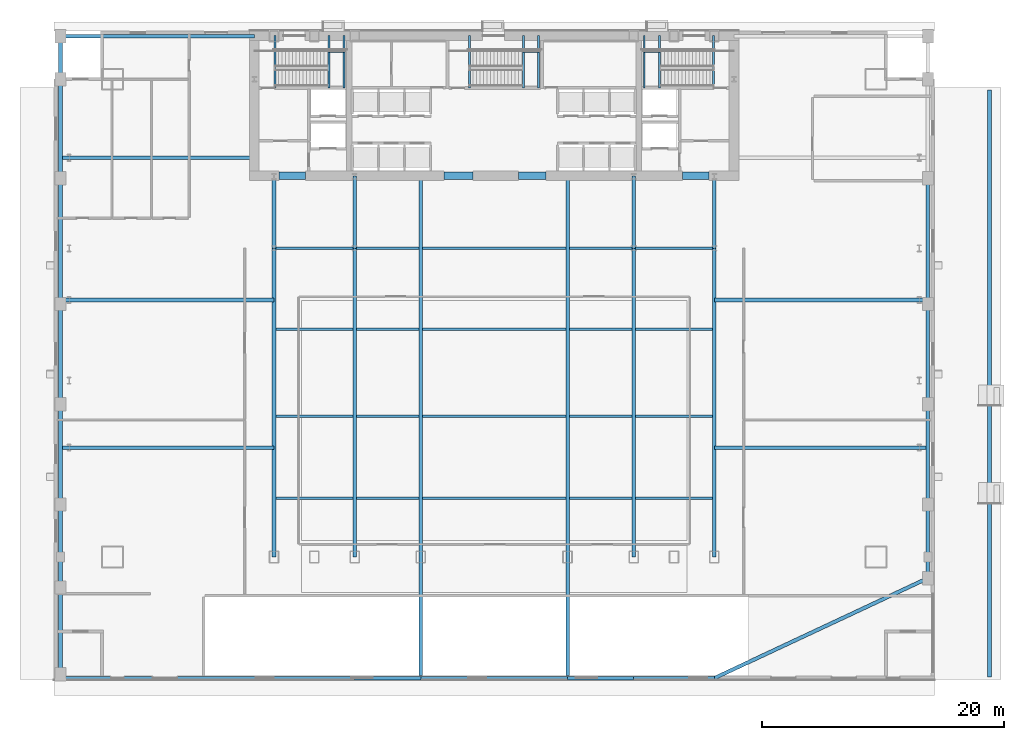
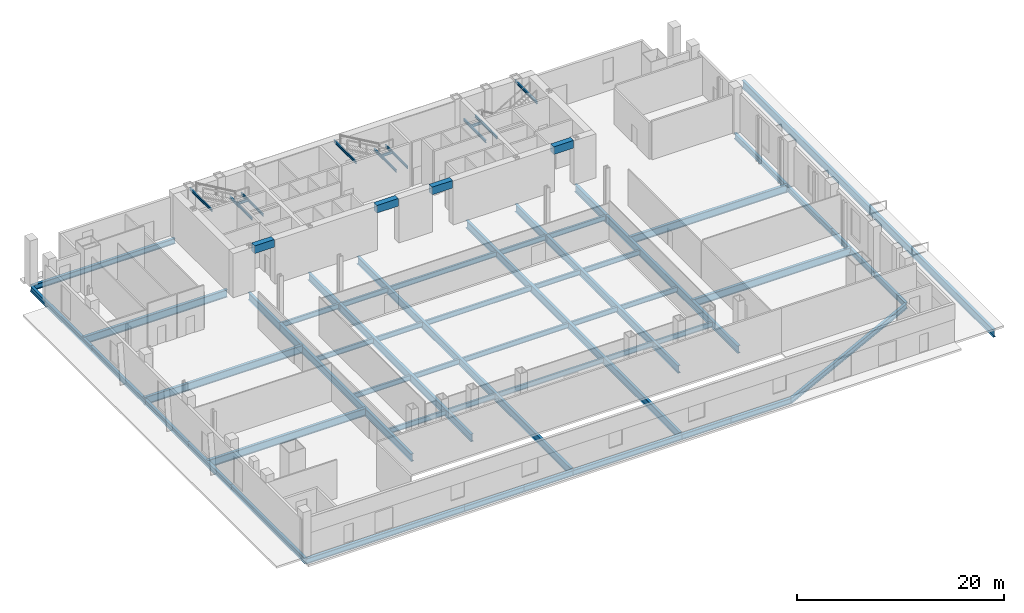
# One storey, part 6 of 16: 69 beams.
"""IFC4 building model written with IfcOpenShell, lengths in metres."""

from ifc_helpers import new_model, si_unit, direction, frame, origin, origin_2d, place, context, subcontext, project, spatial, rectangle, i_section, extrude, material, material_profile, profile_set, type_object, element, save


model = new_model("IFC4")

# Units and contexts
model_context = context("Model", 3, precision=1e-05, world=origin(), true_north=direction((0.0, 1.0)))
body_context = subcontext(model_context, "Body", "Model", "MODEL_VIEW")
ifc_project = project(units=[si_unit("LENGTHUNIT", "METRE"), si_unit("AREAUNIT", "SQUARE_METRE"), si_unit("VOLUMEUNIT", "CUBIC_METRE"), si_unit("PLANEANGLEUNIT", "RADIAN"), si_unit("MASSUNIT", "GRAM", prefix="KILO")], contexts=[model_context])

# Site, building, storey
site_placement = place(None, origin())
site = spatial("IfcSite", under=ifc_project, at=site_placement, CompositionType="ELEMENT")
building_placement = place(site_placement, origin())
building = spatial("IfcBuilding", under=site, at=building_placement, Name="Khoronbel Lancet Exchange", CompositionType="ELEMENT")
storey_placement = place(building_placement, origin())
storey = spatial("IfcBuildingStorey", under=building, at=storey_placement, Name="L00", CompositionType="ELEMENT", Elevation=0.0)

# Beams
ifc_material_1 = material(Name="Steel S355", Category="steel")
ifc_material_profile_1 = material_profile(ifc_material_1, i_section(OverallWidth=0.300048828125, OverallDepth=0.89990234375, WebThickness=0.0185546875, FlangeThickness=0.034912109375, at=origin_2d()), Name="HEB 900")
ifc_profile_set_1 = profile_set([ifc_material_profile_1], Name="Steel S355")
beam_type_1 = type_object("IfcBeamType", Name="BM-BG1", PredefinedType="BEAM", material=ifc_profile_set_1)
beam_1_placement = place(storey_placement, frame((77.449951171875, 0.199951171875, -0.68994140625), z_axis=(0.0, 1.0, 0.0), x_axis=(-1.0, 0.0, 0.0)))
element("IfcBeam", 1, at=beam_1_placement, inside=storey, type_object=beam_type_1, Name="Level L00 east boulevard colonnade apron edge girder", PredefinedType="BEAM", context=body_context, shape_type="SweptSolid", body=[
    extrude(i_section(OverallWidth=0.300048828125, OverallDepth=0.89990234375, WebThickness=0.0185546875, FlangeThickness=0.034912109375, at=origin_2d()), origin(), (0.0, 0.0, 1.0), 48.60009765625),
])
beam_2_placement = place(storey_placement, frame((18.22509765625, 10.14990234375, -0.669921875), z_axis=(0.0, 1.0, 0.0), x_axis=(-1.0, 0.0, 0.0)))
element("IfcBeam", 2, at=beam_2_placement, inside=storey, type_object=beam_type_1, Name="Level L00 south primary girder GS1", PredefinedType="BEAM", context=body_context, shape_type="SweptSolid", body=[
    extrude(i_section(OverallWidth=0.300048828125, OverallDepth=0.89990234375, WebThickness=0.0185546875, FlangeThickness=0.034912109375, at=origin_2d()), origin(), (0.0, 0.0, 1.0), 25.550048828125),
])
beam_3_placement = place(storey_placement, frame((18.22509765625, 35.699951171875, -0.669921875), z_axis=(0.0, 1.0, 0.0), x_axis=(-1.0, 0.0, 0.0)))
element("IfcBeam", 3, at=beam_3_placement, inside=storey, type_object=beam_type_1, Name="Level L00 spine tie girder GN1", PredefinedType="BEAM", context=body_context, shape_type="SweptSolid", body=[
    extrude(i_section(OverallWidth=0.300048828125, OverallDepth=0.89990234375, WebThickness=0.0185546875, FlangeThickness=0.034912109375, at=origin_2d()), origin(), (0.0, 0.0, 1.0), 6.0),
])
beam_4_placement = place(storey_placement, frame((24.89990234375, 10.14990234375, -0.669921875), z_axis=(0.0, 1.0, 0.0), x_axis=(-1.0, 0.0, 0.0)))
element("IfcBeam", 4, at=beam_4_placement, inside=storey, type_object=beam_type_1, Name="Level L00 south primary girder GS2", PredefinedType="BEAM", context=body_context, shape_type="SweptSolid", body=[
    extrude(i_section(OverallWidth=0.300048828125, OverallDepth=0.89990234375, WebThickness=0.0185546875, FlangeThickness=0.034912109375, at=origin_2d()), origin(), (0.0, 0.0, 1.0), 25.550048828125),
])
beam_5_placement = place(storey_placement, frame((24.89990234375, 35.699951171875, -0.669921875), z_axis=(0.0, 1.0, 0.0), x_axis=(-1.0, 0.0, 0.0)))
element("IfcBeam", 5, at=beam_5_placement, inside=storey, type_object=beam_type_1, Name="Level L00 spine tie girder GN2", PredefinedType="BEAM", context=body_context, shape_type="SweptSolid", body=[
    extrude(i_section(OverallWidth=0.300048828125, OverallDepth=0.89990234375, WebThickness=0.0185546875, FlangeThickness=0.034912109375, at=origin_2d()), origin(), (0.0, 0.0, 1.0), 6.0),
])
for number, where, z_axis, x_axis, name in (
    (6, (30.375, 0.35009765625, -0.669921875), (0.0, 1.0, 0.0), (-1.0, 0.0, 0.0), "Level L00 primary floor girder G3"),
    (7, (42.52490234375, 0.35009765625, -0.669921875), (0.0, 1.0, 0.0), (-1.0, 0.0, 0.0), "Level L00 primary floor girder G4"),
):
    element("IfcBeam", number, at=place(storey_placement, frame(where, z_axis=z_axis, x_axis=x_axis)), inside=storey, type_object=beam_type_1, Name=name, PredefinedType="BEAM", context=body_context, shape_type="SweptSolid", body=[
        extrude(i_section(OverallWidth=0.300048828125, OverallDepth=0.89990234375, WebThickness=0.0185546875, FlangeThickness=0.034912109375, at=origin_2d()), origin(), (0.0, 0.0, 1.0), 41.349853515625),
    ])
beam_6_placement = place(storey_placement, frame((48.0, 10.14990234375, -0.669921875), z_axis=(0.0, 1.0, 0.0), x_axis=(-1.0, 0.0, 0.0)))
element("IfcBeam", 8, at=beam_6_placement, inside=storey, type_object=beam_type_1, Name="Level L00 south primary girder GS5", PredefinedType="BEAM", context=body_context, shape_type="SweptSolid", body=[
    extrude(i_section(OverallWidth=0.300048828125, OverallDepth=0.89990234375, WebThickness=0.0185546875, FlangeThickness=0.034912109375, at=origin_2d()), origin(), (0.0, 0.0, 1.0), 25.550048828125),
])
beam_7_placement = place(storey_placement, frame((48.0, 35.699951171875, -0.669921875), z_axis=(0.0, 1.0, 0.0), x_axis=(-1.0, 0.0, 0.0)))
element("IfcBeam", 9, at=beam_7_placement, inside=storey, type_object=beam_type_1, Name="Level L00 spine tie girder GN5", PredefinedType="BEAM", context=body_context, shape_type="SweptSolid", body=[
    extrude(i_section(OverallWidth=0.300048828125, OverallDepth=0.89990234375, WebThickness=0.0185546875, FlangeThickness=0.034912109375, at=origin_2d()), origin(), (0.0, 0.0, 1.0), 6.0),
])
beam_8_placement = place(storey_placement, frame((54.675048828125, 10.14990234375, -0.669921875), z_axis=(0.0, 1.0, 0.0), x_axis=(-1.0, 0.0, 0.0)))
element("IfcBeam", 10, at=beam_8_placement, inside=storey, type_object=beam_type_1, Name="Level L00 south primary girder GS6", PredefinedType="BEAM", context=body_context, shape_type="SweptSolid", body=[
    extrude(i_section(OverallWidth=0.300048828125, OverallDepth=0.89990234375, WebThickness=0.0185546875, FlangeThickness=0.034912109375, at=origin_2d()), origin(), (0.0, 0.0, 1.0), 25.550048828125),
])
beam_9_placement = place(storey_placement, frame((54.675048828125, 35.699951171875, -0.669921875), z_axis=(0.0, 1.0, 0.0), x_axis=(-1.0, 0.0, 0.0)))
element("IfcBeam", 11, at=beam_9_placement, inside=storey, type_object=beam_type_1, Name="Level L00 spine tie girder GN6", PredefinedType="BEAM", context=body_context, shape_type="SweptSolid", body=[
    extrude(i_section(OverallWidth=0.300048828125, OverallDepth=0.89990234375, WebThickness=0.0185546875, FlangeThickness=0.034912109375, at=origin_2d()), origin(), (0.0, 0.0, 1.0), 6.0),
])
for number, where, z_axis, x_axis, name in (
    (12, (0.550048828125, 19.199951171875, -0.669921875), (1.0, 0.0, 0.0), (0.0, 1.0, 0.0), "Level L00 west lens tie girder LG1W"),
    (13, (54.675048828125, 19.199951171875, -0.669921875), (1.0, 0.0, 0.0), (0.0, 1.0, 0.0), "Level L00 east lens tie girder LG1E"),
    (14, (0.550048828125, 31.425048828125, -0.669921875), (1.0, 0.0, 0.0), (0.0, 1.0, 0.0), "Level L00 west lens tie girder LG2W"),
    (15, (54.675048828125, 31.425048828125, -0.669921875), (1.0, 0.0, 0.0), (0.0, 1.0, 0.0), "Level L00 east lens tie girder LG2E"),
):
    element("IfcBeam", number, at=place(storey_placement, frame(where, z_axis=z_axis, x_axis=x_axis)), inside=storey, type_object=beam_type_1, Name=name, PredefinedType="BEAM", context=body_context, shape_type="SweptSolid", body=[
        extrude(i_section(OverallWidth=0.300048828125, OverallDepth=0.89990234375, WebThickness=0.0185546875, FlangeThickness=0.034912109375, at=origin_2d()), origin(), (0.0, 0.0, 1.0), 17.675048828125),
    ])
beam_10_placement = place(storey_placement, frame((0.550048828125, 43.199951171875, -0.669921875), z_axis=(1.0, 0.0, 0.0), x_axis=(0.0, 1.0, 0.0)))
element("IfcBeam", 16, at=beam_10_placement, inside=storey, type_object=beam_type_1, Name="Level L00 west lens tie girder LG3W", PredefinedType="BEAM", context=body_context, shape_type="SweptSolid", body=[
    extrude(i_section(OverallWidth=0.300048828125, OverallDepth=0.89990234375, WebThickness=0.0185546875, FlangeThickness=0.034912109375, at=origin_2d()), origin(), (0.0, 0.0, 1.0), 16.050048828125),
])
ifc_material_profile_2 = material_profile(ifc_material_1, i_section(OverallWidth=0.219970703125, OverallDepth=0.60009765625, WebThickness=0.011962890625, FlangeThickness=0.01904296875, at=origin_2d()), Name="IPE 600")
ifc_profile_set_2 = profile_set([ifc_material_profile_2], Name="Steel S355")
beam_type_2 = type_object("IfcBeamType", Name="BM-BJ1", PredefinedType="JOIST", material=ifc_profile_set_2)
beam_11_placement = place(storey_placement, frame((18.375, 15.0, -0.52001953125), z_axis=(1.0, 0.0, 0.0), x_axis=(0.0, 1.0, 0.0)))
element("IfcBeam", 17, at=beam_11_placement, inside=storey, type_object=beam_type_2, Name="Level L00 secondary composite joist J01", PredefinedType="JOIST", context=body_context, shape_type="SweptSolid", body=[
    extrude(i_section(OverallWidth=0.219970703125, OverallDepth=0.60009765625, WebThickness=0.011962890625, FlangeThickness=0.01904296875, at=origin_2d()), origin(), (0.0, 0.0, 1.0), 6.375),
])
beam_12_placement = place(storey_placement, frame((25.050048828125, 15.0, -0.52001953125), z_axis=(1.0, 0.0, 0.0), x_axis=(0.0, 1.0, 0.0)))
element("IfcBeam", 18, at=beam_12_placement, inside=storey, type_object=beam_type_2, Name="Level L00 secondary composite joist J02", PredefinedType="JOIST", context=body_context, shape_type="SweptSolid", body=[
    extrude(i_section(OverallWidth=0.219970703125, OverallDepth=0.60009765625, WebThickness=0.011962890625, FlangeThickness=0.01904296875, at=origin_2d()), origin(), (0.0, 0.0, 1.0), 5.175048828125),
])
beam_13_placement = place(storey_placement, frame((30.52490234375, 15.0, -0.52001953125), z_axis=(1.0, 0.0, 0.0), x_axis=(0.0, 1.0, 0.0)))
element("IfcBeam", 19, at=beam_13_placement, inside=storey, type_object=beam_type_2, Name="Level L00 secondary composite joist J03", PredefinedType="JOIST", context=body_context, shape_type="SweptSolid", body=[
    extrude(i_section(OverallWidth=0.219970703125, OverallDepth=0.60009765625, WebThickness=0.011962890625, FlangeThickness=0.01904296875, at=origin_2d()), origin(), (0.0, 0.0, 1.0), 11.85009765625),
])
beam_14_placement = place(storey_placement, frame((42.675048828125, 15.0, -0.52001953125), z_axis=(1.0, 0.0, 0.0), x_axis=(0.0, 1.0, 0.0)))
element("IfcBeam", 20, at=beam_14_placement, inside=storey, type_object=beam_type_2, Name="Level L00 secondary composite joist J04", PredefinedType="JOIST", context=body_context, shape_type="SweptSolid", body=[
    extrude(i_section(OverallWidth=0.219970703125, OverallDepth=0.60009765625, WebThickness=0.011962890625, FlangeThickness=0.01904296875, at=origin_2d()), origin(), (0.0, 0.0, 1.0), 5.175048828125),
])
for number, where, z_axis, x_axis, name in (
    (21, (48.14990234375, 15.0, -0.52001953125), (1.0, 0.0, 0.0), (0.0, 1.0, 0.0), "Level L00 secondary composite joist J05"),
    (22, (18.375, 21.800048828125, -0.52001953125), (1.0, 0.0, 0.0), (0.0, 1.0, 0.0), "Level L00 secondary composite joist J06"),
):
    element("IfcBeam", number, at=place(storey_placement, frame(where, z_axis=z_axis, x_axis=x_axis)), inside=storey, type_object=beam_type_2, Name=name, PredefinedType="JOIST", context=body_context, shape_type="SweptSolid", body=[
        extrude(i_section(OverallWidth=0.219970703125, OverallDepth=0.60009765625, WebThickness=0.011962890625, FlangeThickness=0.01904296875, at=origin_2d()), origin(), (0.0, 0.0, 1.0), 6.375),
    ])
beam_15_placement = place(storey_placement, frame((25.050048828125, 21.800048828125, -0.52001953125), z_axis=(1.0, 0.0, 0.0), x_axis=(0.0, 1.0, 0.0)))
element("IfcBeam", 23, at=beam_15_placement, inside=storey, type_object=beam_type_2, Name="Level L00 secondary composite joist J07", PredefinedType="JOIST", context=body_context, shape_type="SweptSolid", body=[
    extrude(i_section(OverallWidth=0.219970703125, OverallDepth=0.60009765625, WebThickness=0.011962890625, FlangeThickness=0.01904296875, at=origin_2d()), origin(), (0.0, 0.0, 1.0), 5.175048828125),
])
beam_16_placement = place(storey_placement, frame((30.52490234375, 21.800048828125, -0.52001953125), z_axis=(1.0, 0.0, 0.0), x_axis=(0.0, 1.0, 0.0)))
element("IfcBeam", 24, at=beam_16_placement, inside=storey, type_object=beam_type_2, Name="Level L00 secondary composite joist J08", PredefinedType="JOIST", context=body_context, shape_type="SweptSolid", body=[
    extrude(i_section(OverallWidth=0.219970703125, OverallDepth=0.60009765625, WebThickness=0.011962890625, FlangeThickness=0.01904296875, at=origin_2d()), origin(), (0.0, 0.0, 1.0), 11.85009765625),
])
beam_17_placement = place(storey_placement, frame((42.675048828125, 21.800048828125, -0.52001953125), z_axis=(1.0, 0.0, 0.0), x_axis=(0.0, 1.0, 0.0)))
element("IfcBeam", 25, at=beam_17_placement, inside=storey, type_object=beam_type_2, Name="Level L00 secondary composite joist J09", PredefinedType="JOIST", context=body_context, shape_type="SweptSolid", body=[
    extrude(i_section(OverallWidth=0.219970703125, OverallDepth=0.60009765625, WebThickness=0.011962890625, FlangeThickness=0.01904296875, at=origin_2d()), origin(), (0.0, 0.0, 1.0), 5.175048828125),
])
for number, where, z_axis, x_axis, name in (
    (26, (48.14990234375, 21.800048828125, -0.52001953125), (1.0, 0.0, 0.0), (0.0, 1.0, 0.0), "Level L00 secondary composite joist J10"),
    (27, (18.375, 29.0, -0.52001953125), (1.0, 0.0, 0.0), (0.0, 1.0, 0.0), "Level L00 secondary composite joist J11"),
):
    element("IfcBeam", number, at=place(storey_placement, frame(where, z_axis=z_axis, x_axis=x_axis)), inside=storey, type_object=beam_type_2, Name=name, PredefinedType="JOIST", context=body_context, shape_type="SweptSolid", body=[
        extrude(i_section(OverallWidth=0.219970703125, OverallDepth=0.60009765625, WebThickness=0.011962890625, FlangeThickness=0.01904296875, at=origin_2d()), origin(), (0.0, 0.0, 1.0), 6.375),
    ])
beam_18_placement = place(storey_placement, frame((25.050048828125, 29.0, -0.52001953125), z_axis=(1.0, 0.0, 0.0), x_axis=(0.0, 1.0, 0.0)))
element("IfcBeam", 28, at=beam_18_placement, inside=storey, type_object=beam_type_2, Name="Level L00 secondary composite joist J12", PredefinedType="JOIST", context=body_context, shape_type="SweptSolid", body=[
    extrude(i_section(OverallWidth=0.219970703125, OverallDepth=0.60009765625, WebThickness=0.011962890625, FlangeThickness=0.01904296875, at=origin_2d()), origin(), (0.0, 0.0, 1.0), 5.175048828125),
])
beam_19_placement = place(storey_placement, frame((30.52490234375, 29.0, -0.52001953125), z_axis=(1.0, 0.0, 0.0), x_axis=(0.0, 1.0, 0.0)))
element("IfcBeam", 29, at=beam_19_placement, inside=storey, type_object=beam_type_2, Name="Level L00 secondary composite joist J13", PredefinedType="JOIST", context=body_context, shape_type="SweptSolid", body=[
    extrude(i_section(OverallWidth=0.219970703125, OverallDepth=0.60009765625, WebThickness=0.011962890625, FlangeThickness=0.01904296875, at=origin_2d()), origin(), (0.0, 0.0, 1.0), 11.85009765625),
])
beam_20_placement = place(storey_placement, frame((42.675048828125, 29.0, -0.52001953125), z_axis=(1.0, 0.0, 0.0), x_axis=(0.0, 1.0, 0.0)))
element("IfcBeam", 30, at=beam_20_placement, inside=storey, type_object=beam_type_2, Name="Level L00 secondary composite joist J14", PredefinedType="JOIST", context=body_context, shape_type="SweptSolid", body=[
    extrude(i_section(OverallWidth=0.219970703125, OverallDepth=0.60009765625, WebThickness=0.011962890625, FlangeThickness=0.01904296875, at=origin_2d()), origin(), (0.0, 0.0, 1.0), 5.175048828125),
])
for number, where, z_axis, x_axis, name in (
    (31, (48.14990234375, 29.0, -0.52001953125), (1.0, 0.0, 0.0), (0.0, 1.0, 0.0), "Level L00 secondary composite joist J15"),
    (32, (18.375, 35.699951171875, -0.52001953125), (1.0, 0.0, 0.0), (0.0, 1.0, 0.0), "Level L00 secondary composite joist J16"),
):
    element("IfcBeam", number, at=place(storey_placement, frame(where, z_axis=z_axis, x_axis=x_axis)), inside=storey, type_object=beam_type_2, Name=name, PredefinedType="JOIST", context=body_context, shape_type="SweptSolid", body=[
        extrude(i_section(OverallWidth=0.219970703125, OverallDepth=0.60009765625, WebThickness=0.011962890625, FlangeThickness=0.01904296875, at=origin_2d()), origin(), (0.0, 0.0, 1.0), 6.375),
    ])
beam_21_placement = place(storey_placement, frame((25.050048828125, 35.699951171875, -0.52001953125), z_axis=(1.0, 0.0, 0.0), x_axis=(0.0, 1.0, 0.0)))
element("IfcBeam", 33, at=beam_21_placement, inside=storey, type_object=beam_type_2, Name="Level L00 secondary composite joist J17", PredefinedType="JOIST", context=body_context, shape_type="SweptSolid", body=[
    extrude(i_section(OverallWidth=0.219970703125, OverallDepth=0.60009765625, WebThickness=0.011962890625, FlangeThickness=0.01904296875, at=origin_2d()), origin(), (0.0, 0.0, 1.0), 5.175048828125),
])
beam_22_placement = place(storey_placement, frame((30.52490234375, 35.699951171875, -0.52001953125), z_axis=(1.0, 0.0, 0.0), x_axis=(0.0, 1.0, 0.0)))
element("IfcBeam", 34, at=beam_22_placement, inside=storey, type_object=beam_type_2, Name="Level L00 secondary composite joist J18", PredefinedType="JOIST", context=body_context, shape_type="SweptSolid", body=[
    extrude(i_section(OverallWidth=0.219970703125, OverallDepth=0.60009765625, WebThickness=0.011962890625, FlangeThickness=0.01904296875, at=origin_2d()), origin(), (0.0, 0.0, 1.0), 11.85009765625),
])
beam_23_placement = place(storey_placement, frame((42.675048828125, 35.699951171875, -0.52001953125), z_axis=(1.0, 0.0, 0.0), x_axis=(0.0, 1.0, 0.0)))
element("IfcBeam", 35, at=beam_23_placement, inside=storey, type_object=beam_type_2, Name="Level L00 secondary composite joist J19", PredefinedType="JOIST", context=body_context, shape_type="SweptSolid", body=[
    extrude(i_section(OverallWidth=0.219970703125, OverallDepth=0.60009765625, WebThickness=0.011962890625, FlangeThickness=0.01904296875, at=origin_2d()), origin(), (0.0, 0.0, 1.0), 5.175048828125),
])
beam_24_placement = place(storey_placement, frame((48.14990234375, 35.699951171875, -0.52001953125), z_axis=(1.0, 0.0, 0.0), x_axis=(0.0, 1.0, 0.0)))
element("IfcBeam", 36, at=beam_24_placement, inside=storey, type_object=beam_type_2, Name="Level L00 secondary composite joist J20", PredefinedType="JOIST", context=body_context, shape_type="SweptSolid", body=[
    extrude(i_section(OverallWidth=0.219970703125, OverallDepth=0.60009765625, WebThickness=0.011962890625, FlangeThickness=0.01904296875, at=origin_2d()), origin(), (0.0, 0.0, 1.0), 6.375),
])
ifc_material_profile_3 = material_profile(ifc_material_1, i_section(OverallWidth=0.14990234375, OverallDepth=0.300048828125, WebThickness=0.007080078125, FlangeThickness=0.0107421875, at=origin_2d()), Name="IPE 300")
ifc_profile_set_3 = profile_set([ifc_material_profile_3], Name="Steel S355")
beam_type_3 = type_object("IfcBeamType", Name="BM-BJ8", PredefinedType="JOIST", material=ifc_profile_set_3)
for number, where, z_axis, x_axis, name in (
    (37, (22.77001953125, 48.97998046875, 2.35009765625), (0.0, 1.0, 0.0), (-1.0, 0.0, 0.0), "Level L00 stair ST1 landing bearer beam 1"),
    (38, (24.030029296875, 48.97998046875, 2.35009765625), (0.0, 1.0, 0.0), (-1.0, 0.0, 0.0), "Level L00 stair ST1 rear landing bearer beam 1"),
):
    element("IfcBeam", number, at=place(storey_placement, frame(where, z_axis=z_axis, x_axis=x_axis)), inside=storey, type_object=beam_type_3, Name=name, PredefinedType="JOIST", context=body_context, shape_type="SweptSolid", body=[
        extrude(i_section(OverallWidth=0.14990234375, OverallDepth=0.300048828125, WebThickness=0.007080078125, FlangeThickness=0.0107421875, at=origin_2d()), origin(), (0.0, 0.0, 1.0), 4.320068359375),
    ])
beam_25_placement = place(storey_placement, frame((22.77001953125, 51.97998046875, 2.35009765625), z_axis=(1.0, 0.0, 0.0), x_axis=(0.0, 1.0, 0.0)))
element("IfcBeam", 39, at=beam_25_placement, inside=storey, type_object=beam_type_3, Name="Level L00 stair ST1 landing cross trimmer beam 1", PredefinedType="JOIST", context=body_context, shape_type="SweptSolid", body=[
    extrude(i_section(OverallWidth=0.14990234375, OverallDepth=0.300048828125, WebThickness=0.007080078125, FlangeThickness=0.0107421875, at=origin_2d()), origin(), (0.0, 0.0, 1.0), 1.260009765625),
])
for number, where, z_axis, x_axis, name in (
    (40, (18.300048828125, 48.97998046875, 4.919921875), (0.0, 1.0, 0.0), (-1.0, 0.0, 0.0), "Level L00 stair ST1 upper-flight arrival trimmer beam"),
    (41, (50.1298828125, 48.97998046875, 2.35009765625), (0.0, 1.0, 0.0), (-1.0, 0.0, 0.0), "Level L00 stair ST2 landing bearer beam 1"),
    (42, (48.8701171875, 48.97998046875, 2.35009765625), (0.0, 1.0, 0.0), (-1.0, 0.0, 0.0), "Level L00 stair ST2 rear landing bearer beam 1"),
):
    element("IfcBeam", number, at=place(storey_placement, frame(where, z_axis=z_axis, x_axis=x_axis)), inside=storey, type_object=beam_type_3, Name=name, PredefinedType="JOIST", context=body_context, shape_type="SweptSolid", body=[
        extrude(i_section(OverallWidth=0.14990234375, OverallDepth=0.300048828125, WebThickness=0.007080078125, FlangeThickness=0.0107421875, at=origin_2d()), origin(), (0.0, 0.0, 1.0), 4.320068359375),
    ])
beam_26_placement = place(storey_placement, frame((48.8701171875, 51.97998046875, 2.35009765625), z_axis=(1.0, 0.0, 0.0), x_axis=(0.0, 1.0, 0.0)))
element("IfcBeam", 43, at=beam_26_placement, inside=storey, type_object=beam_type_3, Name="Level L00 stair ST2 landing cross trimmer beam 1", PredefinedType="JOIST", context=body_context, shape_type="SweptSolid", body=[
    extrude(i_section(OverallWidth=0.14990234375, OverallDepth=0.300048828125, WebThickness=0.007080078125, FlangeThickness=0.0107421875, at=origin_2d()), origin(), (0.0, 0.0, 1.0), 1.259765625),
])
for number, where, z_axis, x_axis, name in (
    (44, (54.60009765625, 48.97998046875, 4.919921875), (0.0, 1.0, 0.0), (-1.0, 0.0, 0.0), "Level L00 stair ST2 upper-flight arrival trimmer beam"),
    (45, (38.8701171875, 48.97998046875, 2.35009765625), (0.0, 1.0, 0.0), (-1.0, 0.0, 0.0), "Level L00 stair ST3 landing bearer beam 1"),
    (46, (40.1298828125, 48.97998046875, 2.35009765625), (0.0, 1.0, 0.0), (-1.0, 0.0, 0.0), "Level L00 stair ST3 rear landing bearer beam 1"),
):
    element("IfcBeam", number, at=place(storey_placement, frame(where, z_axis=z_axis, x_axis=x_axis)), inside=storey, type_object=beam_type_3, Name=name, PredefinedType="JOIST", context=body_context, shape_type="SweptSolid", body=[
        extrude(i_section(OverallWidth=0.14990234375, OverallDepth=0.300048828125, WebThickness=0.007080078125, FlangeThickness=0.0107421875, at=origin_2d()), origin(), (0.0, 0.0, 1.0), 4.320068359375),
    ])
beam_27_placement = place(storey_placement, frame((38.8701171875, 51.97998046875, 2.35009765625), z_axis=(1.0, 0.0, 0.0), x_axis=(0.0, 1.0, 0.0)))
element("IfcBeam", 47, at=beam_27_placement, inside=storey, type_object=beam_type_3, Name="Level L00 stair ST3 landing cross trimmer beam 1", PredefinedType="JOIST", context=body_context, shape_type="SweptSolid", body=[
    extrude(i_section(OverallWidth=0.14990234375, OverallDepth=0.300048828125, WebThickness=0.007080078125, FlangeThickness=0.0107421875, at=origin_2d()), origin(), (0.0, 0.0, 1.0), 1.259765625),
])
beam_28_placement = place(storey_placement, frame((34.39990234375, 48.97998046875, 4.919921875), z_axis=(0.0, 1.0, 0.0), x_axis=(-1.0, 0.0, 0.0)))
element("IfcBeam", 48, at=beam_28_placement, inside=storey, type_object=beam_type_3, Name="Level L00 stair ST3 upper-flight arrival trimmer beam", PredefinedType="JOIST", context=body_context, shape_type="SweptSolid", body=[
    extrude(i_section(OverallWidth=0.14990234375, OverallDepth=0.300048828125, WebThickness=0.007080078125, FlangeThickness=0.0107421875, at=origin_2d()), origin(), (0.0, 0.0, 1.0), 4.320068359375),
])
ifc_material_2 = material(Name="Concrete C80/95", Category="concrete")
ifc_material_profile_4 = material_profile(ifc_material_2, rectangle(XDim=0.60009765625, YDim=0.89990234375, at=origin_2d()), Name="RC 600x900")
ifc_profile_set_4 = profile_set([ifc_material_profile_4], Name="Concrete C80/95")
beam_type_4 = type_object("IfcBeamType", Name="BM-BL1", PredefinedType="LINTEL", material=ifc_profile_set_4)
beam_29_placement = place(storey_placement, frame((18.64990234375, 41.699951171875, 4.75), z_axis=(1.0, 0.0, 0.0), x_axis=(0.0, 1.0, 0.0)))
element("IfcBeam", 49, at=beam_29_placement, inside=storey, type_object=beam_type_4, Name="Level L00 rear core coupling lintel L1", PredefinedType="LINTEL", context=body_context, shape_type="SweptSolid", body=[
    extrude(rectangle(XDim=0.60009765625, YDim=0.89990234375, at=origin_2d()), origin(), (0.0, 0.0, 1.0), 2.2001953125),
])
beam_30_placement = place(storey_placement, frame((32.300048828125, 41.699951171875, 4.75), z_axis=(1.0, 0.0, 0.0), x_axis=(0.0, 1.0, 0.0)))
element("IfcBeam", 50, at=beam_30_placement, inside=storey, type_object=beam_type_4, Name="Level L00 rear core coupling lintel L2", PredefinedType="LINTEL", context=body_context, shape_type="SweptSolid", body=[
    extrude(rectangle(XDim=0.60009765625, YDim=0.89990234375, at=origin_2d()), origin(), (0.0, 0.0, 1.0), 2.39990234375),
])
beam_31_placement = place(storey_placement, frame((38.449951171875, 41.699951171875, 4.75), z_axis=(1.0, 0.0, 0.0), x_axis=(0.0, 1.0, 0.0)))
element("IfcBeam", 51, at=beam_31_placement, inside=storey, type_object=beam_type_4, Name="Level L00 rear core coupling lintel L3", PredefinedType="LINTEL", context=body_context, shape_type="SweptSolid", body=[
    extrude(rectangle(XDim=0.60009765625, YDim=0.89990234375, at=origin_2d()), origin(), (0.0, 0.0, 1.0), 2.300048828125),
])
beam_32_placement = place(storey_placement, frame((52.050048828125, 41.699951171875, 4.75), z_axis=(1.0, 0.0, 0.0), x_axis=(0.0, 1.0, 0.0)))
element("IfcBeam", 52, at=beam_32_placement, inside=storey, type_object=beam_type_4, Name="Level L00 rear core coupling lintel L4", PredefinedType="LINTEL", context=body_context, shape_type="SweptSolid", body=[
    extrude(rectangle(XDim=0.60009765625, YDim=0.89990234375, at=origin_2d()), origin(), (0.0, 0.0, 1.0), 2.199951171875),
])
ifc_material_profile_5 = material_profile(ifc_material_1, i_section(OverallWidth=0.300048828125, OverallDepth=0.64990234375, WebThickness=0.01611328125, FlangeThickness=0.031005859375, at=origin_2d()), Name="HEB 650")
ifc_profile_set_5 = profile_set([ifc_material_profile_5], Name="Steel S355")
beam_type_5 = type_object("IfcBeamType", Name="BM-BSP1", PredefinedType="SPANDREL", material=ifc_profile_set_5)
beam_33_placement = place(storey_placement, frame((0.550048828125, 0.1201171875, -0.574951171875), z_axis=(1.0, 0.0, 0.0), x_axis=(0.0, 1.0, 0.0)))
element("IfcBeam", 53, at=beam_33_placement, inside=storey, type_object=beam_type_5, Name="Level L00 perimeter spandrel beam SP01", PredefinedType="SPANDREL", context=body_context, shape_type="SweptSolid", body=[
    extrude(i_section(OverallWidth=0.300048828125, OverallDepth=0.64990234375, WebThickness=0.01611328125, FlangeThickness=0.031005859375, at=origin_2d()), origin(), (0.0, 0.0, 1.0), 17.675048828125),
])
beam_34_placement = place(storey_placement, frame((18.22509765625, 0.1201171875, -0.574951171875), z_axis=(1.0, 0.0, 0.0), x_axis=(0.0, 1.0, 0.0)))
element("IfcBeam", 54, at=beam_34_placement, inside=storey, type_object=beam_type_5, Name="Level L00 perimeter spandrel beam SP02", PredefinedType="SPANDREL", context=body_context, shape_type="SweptSolid", body=[
    extrude(i_section(OverallWidth=0.300048828125, OverallDepth=0.64990234375, WebThickness=0.01611328125, FlangeThickness=0.031005859375, at=origin_2d()), origin(), (0.0, 0.0, 1.0), 6.6748046875),
])
beam_35_placement = place(storey_placement, frame((24.89990234375, 0.1201171875, -0.574951171875), z_axis=(1.0, 0.0, 0.0), x_axis=(0.0, 1.0, 0.0)))
element("IfcBeam", 55, at=beam_35_placement, inside=storey, type_object=beam_type_5, Name="Level L00 perimeter spandrel beam SP03", PredefinedType="SPANDREL", context=body_context, shape_type="SweptSolid", body=[
    extrude(i_section(OverallWidth=0.300048828125, OverallDepth=0.64990234375, WebThickness=0.01611328125, FlangeThickness=0.031005859375, at=origin_2d()), origin(), (0.0, 0.0, 1.0), 5.47509765625),
])
beam_36_placement = place(storey_placement, frame((30.375, 0.1201171875, -0.574951171875), z_axis=(1.0, 0.0, 0.0), x_axis=(0.0, 1.0, 0.0)))
element("IfcBeam", 56, at=beam_36_placement, inside=storey, type_object=beam_type_5, Name="Level L00 perimeter spandrel beam SP04", PredefinedType="SPANDREL", context=body_context, shape_type="SweptSolid", body=[
    extrude(i_section(OverallWidth=0.300048828125, OverallDepth=0.64990234375, WebThickness=0.01611328125, FlangeThickness=0.031005859375, at=origin_2d()), origin(), (0.0, 0.0, 1.0), 12.14990234375),
])
beam_37_placement = place(storey_placement, frame((42.52490234375, 0.1201171875, -0.574951171875), z_axis=(1.0, 0.0, 0.0), x_axis=(0.0, 1.0, 0.0)))
element("IfcBeam", 57, at=beam_37_placement, inside=storey, type_object=beam_type_5, Name="Level L00 perimeter spandrel beam SP05", PredefinedType="SPANDREL", context=body_context, shape_type="SweptSolid", body=[
    extrude(i_section(OverallWidth=0.300048828125, OverallDepth=0.64990234375, WebThickness=0.01611328125, FlangeThickness=0.031005859375, at=origin_2d()), origin(), (0.0, 0.0, 1.0), 5.47509765625),
])
beam_38_placement = place(storey_placement, frame((48.0, 0.1201171875, -0.574951171875), z_axis=(1.0, 0.0, 0.0), x_axis=(0.0, 1.0, 0.0)))
element("IfcBeam", 58, at=beam_38_placement, inside=storey, type_object=beam_type_5, Name="Level L00 perimeter spandrel beam SP06", PredefinedType="SPANDREL", context=body_context, shape_type="SweptSolid", body=[
    extrude(i_section(OverallWidth=0.300048828125, OverallDepth=0.64990234375, WebThickness=0.01611328125, FlangeThickness=0.031005859375, at=origin_2d()), origin(), (0.0, 0.0, 1.0), 6.675048828125),
])
beam_39_placement = place(storey_placement, frame((54.675048828125, 0.1201171875, -0.574951171875), z_axis=(0.905565113194, 0.424207291032, 0.0), x_axis=(-0.424207291032, 0.905565113194, 0.0)))
element("IfcBeam", 59, at=beam_39_placement, inside=storey, type_object=beam_type_5, Name="Level L00 perimeter spandrel beam SP07", PredefinedType="SPANDREL", context=body_context, shape_type="SweptSolid", body=[
    extrude(i_section(OverallWidth=0.300048828125, OverallDepth=0.64990234375, WebThickness=0.01611328125, FlangeThickness=0.031005859375, at=origin_2d()), origin(), (0.0, 0.0, 1.0), 19.518310546875),
])
beam_40_placement = place(storey_placement, frame((72.35009765625, 8.39990234375, -0.574951171875), z_axis=(0.0, 1.0, 0.0), x_axis=(-1.0, 0.0, 0.0)))
element("IfcBeam", 60, at=beam_40_placement, inside=storey, type_object=beam_type_5, Name="Level L00 perimeter spandrel beam SP08", PredefinedType="SPANDREL", context=body_context, shape_type="SweptSolid", body=[
    extrude(i_section(OverallWidth=0.300048828125, OverallDepth=0.64990234375, WebThickness=0.01611328125, FlangeThickness=0.031005859375, at=origin_2d()), origin(), (0.0, 0.0, 1.0), 6.10009765625),
])
for number, where, z_axis, x_axis, name in (
    (61, (72.35009765625, 14.5, -0.574951171875), (0.0, 1.0, 0.0), (-1.0, 0.0, 0.0), "Level L00 perimeter spandrel beam SP09"),
    (62, (72.35009765625, 22.800048828125, -0.574951171875), (0.0, 1.0, 0.0), (-1.0, 0.0, 0.0), "Level L00 perimeter spandrel beam SP10"),
):
    element("IfcBeam", number, at=place(storey_placement, frame(where, z_axis=z_axis, x_axis=x_axis)), inside=storey, type_object=beam_type_5, Name=name, PredefinedType="SPANDREL", context=body_context, shape_type="SweptSolid", body=[
        extrude(i_section(OverallWidth=0.300048828125, OverallDepth=0.64990234375, WebThickness=0.01611328125, FlangeThickness=0.031005859375, at=origin_2d()), origin(), (0.0, 0.0, 1.0), 8.300048828125),
    ])
beam_41_placement = place(storey_placement, frame((72.35009765625, 31.10009765625, -0.574951171875), z_axis=(0.0, 1.0, 0.0), x_axis=(-1.0, 0.0, 0.0)))
element("IfcBeam", 63, at=beam_41_placement, inside=storey, type_object=beam_type_5, Name="Level L00 perimeter spandrel beam SP11", PredefinedType="SPANDREL", context=body_context, shape_type="SweptSolid", body=[
    extrude(i_section(OverallWidth=0.300048828125, OverallDepth=0.64990234375, WebThickness=0.01611328125, FlangeThickness=0.031005859375, at=origin_2d()), origin(), (0.0, 0.0, 1.0), 10.39990234375),
])
beam_42_placement = place(storey_placement, frame((16.60009765625, 53.25, -0.574951171875), z_axis=(-1.0, 0.0, 0.0), x_axis=(0.0, -1.0, 0.0)))
element("IfcBeam", 64, at=beam_42_placement, inside=storey, type_object=beam_type_5, Name="Level L00 perimeter spandrel beam SP14", PredefinedType="SPANDREL", context=body_context, shape_type="SweptSolid", body=[
    extrude(i_section(OverallWidth=0.300048828125, OverallDepth=0.64990234375, WebThickness=0.01611328125, FlangeThickness=0.031005859375, at=origin_2d()), origin(), (0.0, 0.0, 1.0), 16.050048828125),
])
beam_43_placement = place(storey_placement, frame((0.550048828125, 53.25, -0.574951171875), z_axis=(0.0, -1.0, 0.0), x_axis=(1.0, 0.0, 0.0)))
element("IfcBeam", 65, at=beam_43_placement, inside=storey, type_object=beam_type_5, Name="Level L00 perimeter spandrel beam SP15", PredefinedType="SPANDREL", context=body_context, shape_type="SweptSolid", body=[
    extrude(i_section(OverallWidth=0.300048828125, OverallDepth=0.64990234375, WebThickness=0.01611328125, FlangeThickness=0.031005859375, at=origin_2d()), origin(), (0.0, 0.0, 1.0), 11.75),
])
beam_44_placement = place(storey_placement, frame((0.550048828125, 41.5, -0.574951171875), z_axis=(0.0, -1.0, 0.0), x_axis=(1.0, 0.0, 0.0)))
element("IfcBeam", 66, at=beam_44_placement, inside=storey, type_object=beam_type_5, Name="Level L00 perimeter spandrel beam SP16", PredefinedType="SPANDREL", context=body_context, shape_type="SweptSolid", body=[
    extrude(i_section(OverallWidth=0.300048828125, OverallDepth=0.64990234375, WebThickness=0.01611328125, FlangeThickness=0.031005859375, at=origin_2d()), origin(), (0.0, 0.0, 1.0), 10.39990234375),
])
for number, where, z_axis, x_axis, name in (
    (67, (0.550048828125, 31.10009765625, -0.574951171875), (0.0, -1.0, 0.0), (1.0, 0.0, 0.0), "Level L00 perimeter spandrel beam SP17"),
    (68, (0.550048828125, 22.800048828125, -0.574951171875), (0.0, -1.0, 0.0), (1.0, 0.0, 0.0), "Level L00 perimeter spandrel beam SP18"),
):
    element("IfcBeam", number, at=place(storey_placement, frame(where, z_axis=z_axis, x_axis=x_axis)), inside=storey, type_object=beam_type_5, Name=name, PredefinedType="SPANDREL", context=body_context, shape_type="SweptSolid", body=[
        extrude(i_section(OverallWidth=0.300048828125, OverallDepth=0.64990234375, WebThickness=0.01611328125, FlangeThickness=0.031005859375, at=origin_2d()), origin(), (0.0, 0.0, 1.0), 8.300048828125),
    ])
beam_45_placement = place(storey_placement, frame((0.550048828125, 14.5, -0.574951171875), z_axis=(0.0, -1.0, 0.0), x_axis=(1.0, 0.0, 0.0)))
element("IfcBeam", 69, at=beam_45_placement, inside=storey, type_object=beam_type_5, Name="Level L00 perimeter spandrel beam SP19", PredefinedType="SPANDREL", context=body_context, shape_type="SweptSolid", body=[
    extrude(i_section(OverallWidth=0.300048828125, OverallDepth=0.64990234375, WebThickness=0.01611328125, FlangeThickness=0.031005859375, at=origin_2d()), origin(), (0.0, 0.0, 1.0), 14.3798828125),
])

save(model, "model.ifc")
